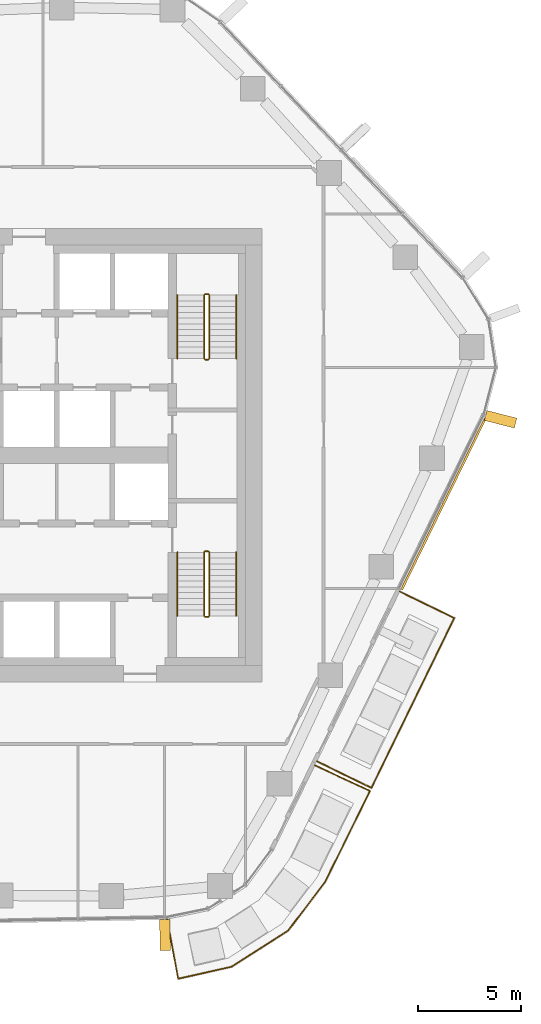
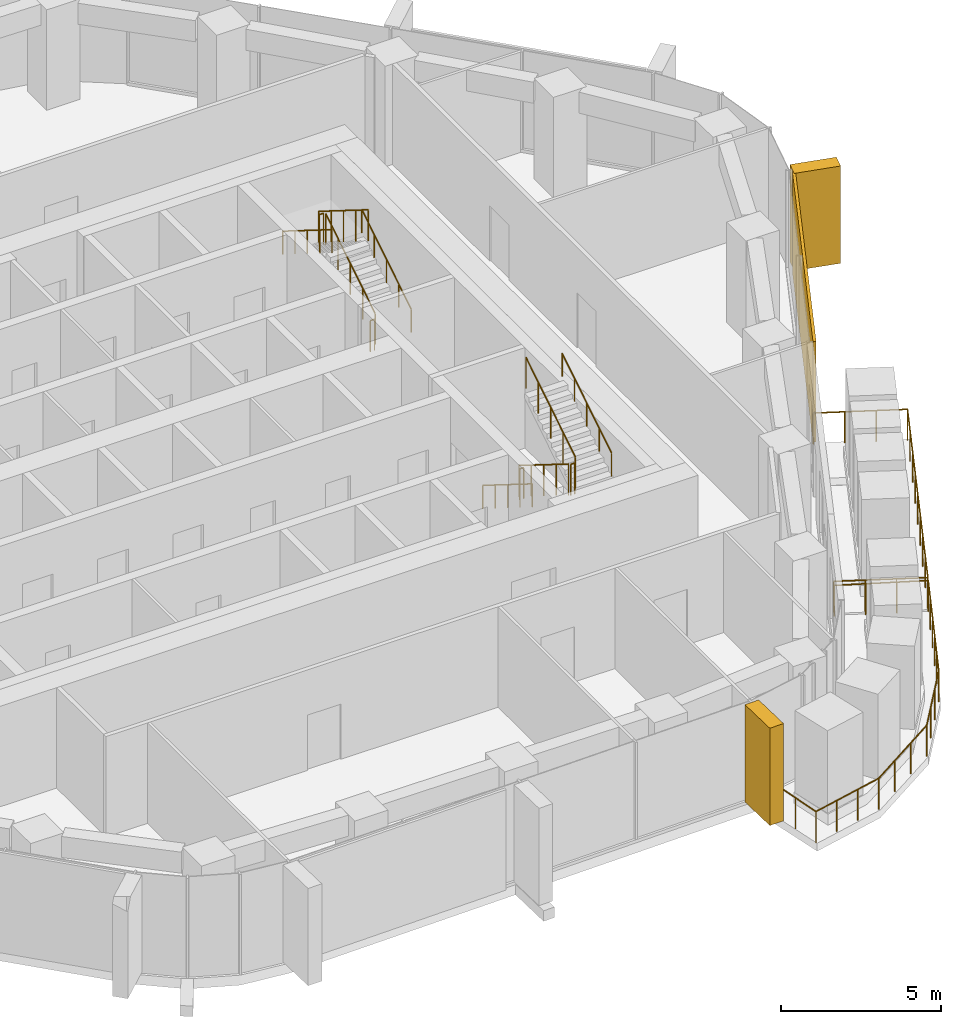
# One storey, part 17 of 18: 14 railings, 3 coverings, 3 elements without a shape of their own.
"""IFC4 building model written with IfcOpenShell, lengths in metres."""

from ifc_helpers import new_model, si_unit, direction, frame, origin, origin_2d, place, context, subcontext, project, spatial, rectangle, circle, extrude, material, layer, layer_set, material_profile, profile_set, type_object, element, aggregate, save


model = new_model("IFC4")

# Units and contexts
model_context = context("Model", 3, precision=1e-05, world=origin(), true_north=direction((0.0, 1.0)))
body_context = subcontext(model_context, "Body", "Model", "MODEL_VIEW")
ifc_project = project(units=[si_unit("LENGTHUNIT", "METRE"), si_unit("AREAUNIT", "SQUARE_METRE"), si_unit("VOLUMEUNIT", "CUBIC_METRE"), si_unit("PLANEANGLEUNIT", "RADIAN"), si_unit("MASSUNIT", "GRAM", prefix="KILO")], contexts=[model_context])

# Site, building, storey
site_placement = place(None, origin())
site = spatial("IfcSite", under=ifc_project, at=site_placement, CompositionType="ELEMENT")
building_placement = place(site_placement, origin())
building = spatial("IfcBuilding", under=site, at=building_placement, Name="Dongbaek Canopy Tower", CompositionType="ELEMENT")
storey_placement = place(building_placement, frame((0.0, 0.0, 162.800048828125)))
storey = spatial("IfcBuildingStorey", under=building, at=storey_placement, Name="L35", CompositionType="ELEMENT", Elevation=162.800048828125)

# Railings
ifc_material_1 = material(Name="Stainless steel", Category="steel")
railing_type_1 = type_object("IfcRailingType", Name="Balcony balustrade 1200", PredefinedType="BALUSTRADE", material=ifc_material_1)
railing_1_placement = place(storey_placement, frame((16.670654296875, -14.836181640625, 0.0)))
element("IfcRailing", 1, at=railing_1_placement, inside=storey, type_object=railing_type_1, Name="Balcony guard L35 2", PredefinedType="BALUSTRADE", context=body_context, shape_type="SweptSolid", body=[
    extrude(circle(Radius=0.02392578125, at=origin_2d()), frame((0.0, 0.0, 1.17578125), z_axis=(0.898671056663, -0.438623223184, 0.0), x_axis=(0.438623223184, 0.898671056663, 0.0)), (0.0, 0.0, 1.0), 2.93994140625),
    extrude(circle(Radius=0.02392578125, at=origin_2d()), frame((2.64208984375, -1.28955078125, 1.17578125), z_axis=(0.438668209755, 0.89864909823, 0.0), x_axis=(-0.89864909823, 0.438668209755, 0.0)), (0.0, 0.0, 1.0), 9.1640625),
    extrude(circle(Radius=0.02392578125, at=origin_2d()), frame((6.662109375, 6.94580078125, 1.17578125), z_axis=(-0.898671056663, 0.438623223184, 0.0), x_axis=(-0.438623223184, -0.898671056663, 0.0)), (0.0, 0.0, 1.0), 2.93994140625),
    extrude(circle(Radius=0.02099609375, at=origin_2d()), origin(), (0.0, 0.0, 1.0), 1.15185546875),
    extrude(circle(Radius=0.02099609375, at=origin_2d()), frame((0.880615234375, -0.429931640625, 0.0)), (0.0, 0.0, 1.0), 1.15185546875),
    extrude(circle(Radius=0.02099609375, at=origin_2d()), frame((1.761474609375, -0.859619140625, 0.0)), (0.0, 0.0, 1.0), 1.15185546875),
    extrude(circle(Radius=0.02099609375, at=origin_2d()), frame((2.64208984375, -1.28955078125, 0.0)), (0.0, 0.0, 1.0), 1.15185546875),
    extrude(circle(Radius=0.02099609375, at=origin_2d()), frame((3.14453125, -0.26025390625, 0.0)), (0.0, 0.0, 1.0), 1.15185546875),
    extrude(circle(Radius=0.02099609375, at=origin_2d()), frame((3.64697265625, 0.769287109375, 0.0)), (0.0, 0.0, 1.0), 1.15185546875),
    extrude(circle(Radius=0.02099609375, at=origin_2d()), frame((4.149658203125, 1.798828125, 0.0)), (0.0, 0.0, 1.0), 1.15185546875),
    extrude(circle(Radius=0.02099609375, at=origin_2d()), frame((4.652099609375, 2.828125, 0.0)), (0.0, 0.0, 1.0), 1.15185546875),
    extrude(circle(Radius=0.02099609375, at=origin_2d()), frame((5.154541015625, 3.857421875, 0.0)), (0.0, 0.0, 1.0), 1.15185546875),
    extrude(circle(Radius=0.02099609375, at=origin_2d()), frame((5.6572265625, 4.886962890625, 0.0)), (0.0, 0.0, 1.0), 1.15185546875),
    extrude(circle(Radius=0.02099609375, at=origin_2d()), frame((6.15966796875, 5.91650390625, 0.0)), (0.0, 0.0, 1.0), 1.15185546875),
    extrude(circle(Radius=0.02099609375, at=origin_2d()), frame((6.662109375, 6.94580078125, 0.0)), (0.0, 0.0, 1.0), 1.15185546875),
    extrude(circle(Radius=0.02099609375, at=origin_2d()), frame((5.781494140625, 7.375732421875, 0.0)), (0.0, 0.0, 1.0), 1.15185546875),
    extrude(circle(Radius=0.02099609375, at=origin_2d()), frame((4.900634765625, 7.805419921875, 0.0)), (0.0, 0.0, 1.0), 1.15185546875),
    extrude(circle(Radius=0.02099609375, at=origin_2d()), frame((4.02001953125, 8.2353515625, 0.0)), (0.0, 0.0, 1.0), 1.15185546875),
])
railing_2_placement = place(storey_placement, frame((9.403076171875, -22.49609375, 0.0)))
element("IfcRailing", 2, at=railing_2_placement, inside=storey, type_object=railing_type_1, Name="Balcony guard L35 4", PredefinedType="BALUSTRADE", context=body_context, shape_type="SweptSolid", body=[
    extrude(circle(Radius=0.02392578125, at=origin_2d()), frame((0.0, 0.0, 1.17578125), z_axis=(0.181821684014, -0.983331518473, 0.0), x_axis=(0.983331518473, 0.181821684014, 0.0)), (0.0, 0.0, 1.0), 2.940673828125),
    extrude(circle(Radius=0.02392578125, at=origin_2d()), frame((0.53466796875, -2.8916015625, 1.17578125), z_axis=(0.97554692989, 0.219791236364, 0.0), x_axis=(-0.219791236364, 0.97554692989, 0.0)), (0.0, 0.0, 1.0), 2.664794921875),
    extrude(circle(Radius=0.02392578125, at=origin_2d()), frame((3.13427734375, -2.305908203125, 1.17578125), z_axis=(0.842635636461, 0.538484154053, 0.0), x_axis=(-0.538484154053, 0.842635636461, 0.0)), (0.0, 0.0, 1.0), 3.24853515625),
    extrude(circle(Radius=0.02392578125, at=origin_2d()), frame((5.87158203125, -0.556640625, 1.17578125), z_axis=(0.604495759218, 0.79660835866, 0.0), x_axis=(-0.79660835866, 0.604495759218, 0.0)), (0.0, 0.0, 1.0), 2.982666015625),
    extrude(circle(Radius=0.02392578125, at=origin_2d()), frame((7.674560546875, 1.8193359375, 1.17578125), z_axis=(0.440917933883, 0.897547422469, 0.0), x_axis=(-0.897547422469, 0.440917933883, 0.0)), (0.0, 0.0, 1.0), 4.910400390625),
    extrude(circle(Radius=0.02392578125, at=origin_2d()), frame((9.839599609375, 6.2265625, 1.17578125), z_axis=(-0.907409457465, 0.420247637117, 0.0), x_axis=(-0.420247637117, -0.907409457465, 0.0)), (0.0, 0.0, 1.0), 2.940673828125),
    extrude(circle(Radius=0.02099609375, at=origin_2d()), origin(), (0.0, 0.0, 1.0), 1.15185546875),
    extrude(circle(Radius=0.02099609375, at=origin_2d()), frame((0.17822265625, -0.9638671875, 0.0)), (0.0, 0.0, 1.0), 1.15185546875),
    extrude(circle(Radius=0.02099609375, at=origin_2d()), frame((0.3564453125, -1.927734375, 0.0)), (0.0, 0.0, 1.0), 1.15185546875),
    extrude(circle(Radius=0.02099609375, at=origin_2d()), frame((0.53466796875, -2.8916015625, 0.0)), (0.0, 0.0, 1.0), 1.15185546875),
    extrude(circle(Radius=0.02099609375, at=origin_2d()), frame((1.401123046875, -2.6962890625, 0.0)), (0.0, 0.0, 1.0), 1.15185546875),
    extrude(circle(Radius=0.02099609375, at=origin_2d()), frame((2.267822265625, -2.501220703125, 0.0)), (0.0, 0.0, 1.0), 1.15185546875),
    extrude(circle(Radius=0.02099609375, at=origin_2d()), frame((3.13427734375, -2.305908203125, 0.0)), (0.0, 0.0, 1.0), 1.15185546875),
    extrude(circle(Radius=0.02099609375, at=origin_2d()), frame((4.046630859375, -1.722900390625, 0.0)), (0.0, 0.0, 1.0), 1.15185546875),
    extrude(circle(Radius=0.02099609375, at=origin_2d()), frame((4.959228515625, -1.1396484375, 0.0)), (0.0, 0.0, 1.0), 1.15185546875),
    extrude(circle(Radius=0.02099609375, at=origin_2d()), frame((5.87158203125, -0.556640625, 0.0)), (0.0, 0.0, 1.0), 1.15185546875),
    extrude(circle(Radius=0.02099609375, at=origin_2d()), frame((6.47265625, 0.2353515625, 0.0)), (0.0, 0.0, 1.0), 1.15185546875),
    extrude(circle(Radius=0.02099609375, at=origin_2d()), frame((7.073486328125, 1.02734375, 0.0)), (0.0, 0.0, 1.0), 1.15185546875),
    extrude(circle(Radius=0.02099609375, at=origin_2d()), frame((7.674560546875, 1.8193359375, 0.0)), (0.0, 0.0, 1.0), 1.15185546875),
    extrude(circle(Radius=0.02099609375, at=origin_2d()), frame((8.107666015625, 2.70068359375, 0.0)), (0.0, 0.0, 1.0), 1.15185546875),
    extrude(circle(Radius=0.02099609375, at=origin_2d()), frame((8.54052734375, 3.582275390625, 0.0)), (0.0, 0.0, 1.0), 1.15185546875),
    extrude(circle(Radius=0.02099609375, at=origin_2d()), frame((8.9736328125, 4.463623046875, 0.0)), (0.0, 0.0, 1.0), 1.15185546875),
    extrude(circle(Radius=0.02099609375, at=origin_2d()), frame((9.406494140625, 5.34521484375, 0.0)), (0.0, 0.0, 1.0), 1.15185546875),
    extrude(circle(Radius=0.02099609375, at=origin_2d()), frame((9.839599609375, 6.2265625, 0.0)), (0.0, 0.0, 1.0), 1.15185546875),
    extrude(circle(Radius=0.02099609375, at=origin_2d()), frame((8.9501953125, 6.638427734375, 0.0)), (0.0, 0.0, 1.0), 1.15185546875),
    extrude(circle(Radius=0.02099609375, at=origin_2d()), frame((8.060546875, 7.050537109375, 0.0)), (0.0, 0.0, 1.0), 1.15185546875),
    extrude(circle(Radius=0.02099609375, at=origin_2d()), frame((7.171142578125, 7.46240234375, 0.0)), (0.0, 0.0, 1.0), 1.15185546875),
])

# Curtain wall, covering
ifc_material_2 = material(Name="Aluminium 6063-T6 pale anodised", Category="aluminium")
ifc_layer_1 = layer(ifc_material_2, 0.199951171875)
ifc_layer_set_1 = layer_set([ifc_layer_1], Name="CW-1 unitised tower curtain wall")
curtain_wall_type = type_object("IfcCurtainWallType", Name="CW-1 unitised tower curtain wall", PredefinedType="NOTDEFINED", material=ifc_layer_set_1)
curtain_wall_1_placement = place(storey_placement, origin())
curtain_wall_1 = element("IfcCurtainWall", 3, at=curtain_wall_1_placement, inside=storey, type_object=curtain_wall_type, Name="CW-1 curtain wall F5.1", PredefinedType="NOTDEFINED")
ifc_material_3 = material(Name="Perforated aluminium 6063-T6 pale metal screen", Category="aluminium")
ifc_layer_2 = layer(ifc_material_3, 0.10009765625)
ifc_layer_set_2 = layer_set([ifc_layer_2], Name="Facet screen FS1 100 pale metal")
covering_type_1 = type_object("IfcCoveringType", Name="Facet screen FS1 100 pale metal", PredefinedType="CLADDING", material=ifc_layer_set_2)
covering_1_placement = place(storey_placement, frame((22.810302734375, -2.36376953125, 0.0), z_axis=(0.0, 0.0, 1.0), x_axis=(0.438664468754, 0.89865092436, 0.0)))
covering_1 = element("IfcCovering", 4, at=covering_1_placement, type_object=covering_type_1, Name="Facet screen L35 F5", PredefinedType="CLADDING", context=body_context, shape_type="SweptSolid", body=[
    extrude(rectangle(XDim=9.254638671875, YDim=0.10009765625, at=origin_2d()), origin(), (0.0, 0.0, 1.0), 3.820068359375),
])
aggregate(curtain_wall_1, [covering_1])

curtain_wall_2_placement = place(storey_placement, origin())
curtain_wall_2 = element("IfcCurtainWall", 5, at=curtain_wall_2_placement, inside=storey, type_object=curtain_wall_type, Name="CW-1 curtain wall K0.1", PredefinedType="NOTDEFINED")
ifc_material_4 = material(Name="Aluminium 6063-T6 pale metal fin", Category="aluminium")
ifc_material_profile = material_profile(ifc_material_4, rectangle(XDim=1.5, YDim=0.5, at=origin_2d()), Name="Fin FN1 500 x 1500 pale metal")
ifc_profile_set = profile_set([ifc_material_profile], Name="Aluminium 6063-T6 pale metal fin")
covering_type_2 = type_object("IfcCoveringType", Name="Fin FN1 500 x 1500 pale metal", PredefinedType="CLADDING", material=ifc_profile_set)
covering_2_placement = place(storey_placement, frame((25.584228515625, 1.75390625, 0.119873046875), z_axis=(0.0, 0.0, 1.0), x_axis=(0.968425118829, -0.249304611313, 0.0)))
covering_2 = element("IfcCovering", 6, at=covering_2_placement, type_object=covering_type_2, Name="Fin K0.1.1", PredefinedType="CLADDING", context=body_context, shape_type="SweptSolid", body=[
    extrude(rectangle(XDim=1.5, YDim=0.5, at=origin_2d()), origin(), (0.0, 0.0, 1.0), 3.7001953125),
])
aggregate(curtain_wall_2, [covering_2])

curtain_wall_3_placement = place(storey_placement, origin())
curtain_wall_3 = element("IfcCurtainWall", 7, at=curtain_wall_3_placement, inside=storey, type_object=curtain_wall_type, Name="CW-1 curtain wall F4.1", PredefinedType="NOTDEFINED")
covering_3_placement = place(storey_placement, frame((9.3017578125, -23.268310546875, 0.119873046875), z_axis=(0.0, 0.0, 1.0), x_axis=(0.020514717954, -0.999789551029, 0.0)))
covering_3 = element("IfcCovering", 8, at=covering_3_placement, type_object=covering_type_2, Name="Fin F4.1.5", PredefinedType="CLADDING", context=body_context, shape_type="SweptSolid", body=[
    extrude(rectangle(XDim=1.5, YDim=0.5, at=origin_2d()), origin(), (0.0, 0.0, 1.0), 3.7001953125),
])
aggregate(curtain_wall_3, [covering_3])

# Railings
ifc_material_5 = material(Name="Stainless steel tube and balusters", Category="steel")
railing_type_2 = type_object("IfcRailingType", Name="Stair guard 1200", PredefinedType="GUARDRAIL", material=ifc_material_5)
railing_3_placement = place(storey_placement, frame((11.449951171875, 4.699951171875, 0.175048828125)))
element("IfcRailing", 9, at=railing_3_placement, inside=storey, type_object=railing_type_2, Name="L35 ST-A stair guard 1", PredefinedType="GUARDRAIL", context=body_context, shape_type="SweptSolid", body=[
    extrude(circle(Radius=0.02392578125, at=origin_2d()), frame((0.0, 0.0, 1.17578125), z_axis=(0.0, 0.848028513186, 0.529950602248), x_axis=(-1.0, 0.0, 0.0)), (0.0, 0.0, 1.0), 3.632080078125),
    extrude(circle(Radius=0.02099609375, at=origin_2d()), origin(), (0.0, 0.0, 1.0), 1.15185546875),
    extrude(circle(Radius=0.02099609375, at=origin_2d()), frame((0.0, 0.77001953125, 0.481201171875)), (0.0, 0.0, 1.0), 1.15185546875),
    extrude(circle(Radius=0.02099609375, at=origin_2d()), frame((0.0, 1.5400390625, 0.96240234375)), (0.0, 0.0, 1.0), 1.15185546875),
    extrude(circle(Radius=0.02099609375, at=origin_2d()), frame((0.0, 2.31005859375, 1.443603515625)), (0.0, 0.0, 1.0), 1.15185546875),
    extrude(circle(Radius=0.02099609375, at=origin_2d()), frame((0.0, 3.080078125, 1.9248046875)), (0.0, 0.0, 1.0), 1.15185546875),
])
railing_4_placement = place(storey_placement, frame((11.39990234375, 7.830078125, 2.099853515625)))
element("IfcRailing", 10, at=railing_4_placement, inside=storey, type_object=railing_type_2, Name="L35 ST-A stair guard 2", PredefinedType="GUARDRAIL", context=body_context, shape_type="SweptSolid", body=[
    extrude(circle(Radius=0.02392578125, at=origin_2d()), frame((0.0, 0.0, 1.17578125), z_axis=(-1.0, 0.0, 0.0), x_axis=(0.0, -1.0, 0.0)), (0.0, 0.0, 1.0), 0.14990234375),
    extrude(circle(Radius=0.02099609375, at=origin_2d()), origin(), (0.0, 0.0, 1.0), 1.15185546875),
    extrude(circle(Radius=0.02099609375, at=origin_2d()), frame((-0.14990234375, 0.0, 0.0)), (0.0, 0.0, 1.0), 1.15185546875),
])
railing_5_placement = place(storey_placement, frame((11.199951171875, 7.780029296875, 2.27490234375)))
element("IfcRailing", 11, at=railing_5_placement, inside=storey, type_object=railing_type_2, Name="L35 ST-A stair guard 3", PredefinedType="GUARDRAIL", context=body_context, shape_type="SweptSolid", body=[
    extrude(circle(Radius=0.02392578125, at=origin_2d()), frame((0.0, 0.0, 1.17578125), z_axis=(0.0, -0.847998304005, 0.529998940003), x_axis=(1.0, 0.0, 0.0)), (0.0, 0.0, 1.0), 3.632080078125),
    extrude(circle(Radius=0.02099609375, at=origin_2d()), origin(), (0.0, 0.0, 1.0), 1.15185546875),
    extrude(circle(Radius=0.02099609375, at=origin_2d()), frame((0.0, -0.77001953125, 0.481201171875)), (0.0, 0.0, 1.0), 1.15185546875),
    extrude(circle(Radius=0.02099609375, at=origin_2d()), frame((0.0, -1.5400390625, 0.96240234375)), (0.0, 0.0, 1.0), 1.15185546875),
    extrude(circle(Radius=0.02099609375, at=origin_2d()), frame((0.0, -2.31005859375, 1.44384765625)), (0.0, 0.0, 1.0), 1.15185546875),
    extrude(circle(Radius=0.02099609375, at=origin_2d()), frame((0.0, -3.080078125, 1.925048828125)), (0.0, 0.0, 1.0), 1.15185546875),
])
railing_6_placement = place(storey_placement, frame((11.39990234375, 4.64990234375, 0.0)))
element("IfcRailing", 12, at=railing_6_placement, inside=storey, type_object=railing_type_2, Name="L35 ST-A stair guard 4", PredefinedType="GUARDRAIL", context=body_context, shape_type="SweptSolid", body=[
    extrude(circle(Radius=0.02392578125, at=origin_2d()), frame((0.0, 0.0, 1.17578125), z_axis=(-1.0, 0.0, 0.0), x_axis=(0.0, -1.0, 0.0)), (0.0, 0.0, 1.0), 0.14990234375),
    extrude(circle(Radius=0.02099609375, at=origin_2d()), origin(), (0.0, 0.0, 1.0), 1.15185546875),
    extrude(circle(Radius=0.02099609375, at=origin_2d()), frame((-0.14990234375, 0.0, 0.0)), (0.0, 0.0, 1.0), 1.15185546875),
])
railing_7_placement = place(storey_placement, frame((11.199951171875, -4.699951171875, 0.175048828125)))
element("IfcRailing", 13, at=railing_7_placement, inside=storey, type_object=railing_type_2, Name="L35 ST-B stair guard 1", PredefinedType="GUARDRAIL", context=body_context, shape_type="SweptSolid", body=[
    extrude(circle(Radius=0.02392578125, at=origin_2d()), frame((0.0, 0.0, 1.17578125), z_axis=(0.0, -0.848028513186, 0.529950602248), x_axis=(1.0, 0.0, 0.0)), (0.0, 0.0, 1.0), 3.632080078125),
    extrude(circle(Radius=0.02099609375, at=origin_2d()), origin(), (0.0, 0.0, 1.0), 1.15185546875),
    extrude(circle(Radius=0.02099609375, at=origin_2d()), frame((0.0, -0.77001953125, 0.481201171875)), (0.0, 0.0, 1.0), 1.15185546875),
    extrude(circle(Radius=0.02099609375, at=origin_2d()), frame((0.0, -1.5400390625, 0.96240234375)), (0.0, 0.0, 1.0), 1.15185546875),
    extrude(circle(Radius=0.02099609375, at=origin_2d()), frame((0.0, -2.31005859375, 1.443603515625)), (0.0, 0.0, 1.0), 1.15185546875),
    extrude(circle(Radius=0.02099609375, at=origin_2d()), frame((0.0, -3.080078125, 1.9248046875)), (0.0, 0.0, 1.0), 1.15185546875),
])
railing_8_placement = place(storey_placement, frame((11.25, -7.830078125, 2.099853515625)))
element("IfcRailing", 14, at=railing_8_placement, inside=storey, type_object=railing_type_2, Name="L35 ST-B stair guard 2", PredefinedType="GUARDRAIL", context=body_context, shape_type="SweptSolid", body=[
    extrude(circle(Radius=0.02392578125, at=origin_2d()), frame((0.0, 0.0, 1.17578125), z_axis=(1.0, 0.0, 0.0), x_axis=(0.0, 1.0, 0.0)), (0.0, 0.0, 1.0), 0.14990234375),
    extrude(circle(Radius=0.02099609375, at=origin_2d()), origin(), (0.0, 0.0, 1.0), 1.15185546875),
    extrude(circle(Radius=0.02099609375, at=origin_2d()), frame((0.14990234375, 0.0, 0.0)), (0.0, 0.0, 1.0), 1.15185546875),
])
railing_9_placement = place(storey_placement, frame((11.449951171875, -7.780029296875, 2.27490234375)))
element("IfcRailing", 15, at=railing_9_placement, inside=storey, type_object=railing_type_2, Name="L35 ST-B stair guard 3", PredefinedType="GUARDRAIL", context=body_context, shape_type="SweptSolid", body=[
    extrude(circle(Radius=0.02392578125, at=origin_2d()), frame((0.0, 0.0, 1.17578125), z_axis=(0.0, 0.847998304005, 0.529998940003), x_axis=(-1.0, 0.0, 0.0)), (0.0, 0.0, 1.0), 3.632080078125),
    extrude(circle(Radius=0.02099609375, at=origin_2d()), origin(), (0.0, 0.0, 1.0), 1.15185546875),
    extrude(circle(Radius=0.02099609375, at=origin_2d()), frame((0.0, 0.77001953125, 0.481201171875)), (0.0, 0.0, 1.0), 1.15185546875),
    extrude(circle(Radius=0.02099609375, at=origin_2d()), frame((0.0, 1.5400390625, 0.96240234375)), (0.0, 0.0, 1.0), 1.15185546875),
    extrude(circle(Radius=0.02099609375, at=origin_2d()), frame((0.0, 2.31005859375, 1.44384765625)), (0.0, 0.0, 1.0), 1.15185546875),
    extrude(circle(Radius=0.02099609375, at=origin_2d()), frame((0.0, 3.080078125, 1.925048828125)), (0.0, 0.0, 1.0), 1.15185546875),
])
railing_10_placement = place(storey_placement, frame((11.25, -4.64990234375, 0.0)))
element("IfcRailing", 16, at=railing_10_placement, inside=storey, type_object=railing_type_2, Name="L35 ST-B stair guard 4", PredefinedType="GUARDRAIL", context=body_context, shape_type="SweptSolid", body=[
    extrude(circle(Radius=0.02392578125, at=origin_2d()), frame((0.0, 0.0, 1.17578125), z_axis=(1.0, 0.0, 0.0), x_axis=(0.0, 1.0, 0.0)), (0.0, 0.0, 1.0), 0.14990234375),
    extrude(circle(Radius=0.02099609375, at=origin_2d()), origin(), (0.0, 0.0, 1.0), 1.15185546875),
    extrude(circle(Radius=0.02099609375, at=origin_2d()), frame((0.14990234375, 0.0, 0.0)), (0.0, 0.0, 1.0), 1.15185546875),
])
ifc_material_6 = material(Name="Stainless steel tube", Category="steel")
railing_type_3 = type_object("IfcRailingType", Name="Stair handrail 900", PredefinedType="HANDRAIL", material=ifc_material_6)
railing_11_placement = place(storey_placement, frame((12.75, 4.699951171875, 0.175048828125)))
element("IfcRailing", 17, at=railing_11_placement, inside=storey, type_object=railing_type_3, Name="L35 ST-A stair handrail 1", PredefinedType="HANDRAIL", context=body_context, shape_type="SweptSolid", body=[
    extrude(circle(Radius=0.02392578125, at=origin_2d()), frame((0.0, 0.0, 0.8759765625), z_axis=(0.0, 0.848028513186, 0.529950602248), x_axis=(-1.0, 0.0, 0.0)), (0.0, 0.0, 1.0), 3.632080078125),
    extrude(circle(Radius=0.02099609375, at=origin_2d()), origin(), (0.0, 0.0, 1.0), 0.851806640625),
    extrude(circle(Radius=0.02099609375, at=origin_2d()), frame((0.0, 0.77001953125, 0.481201171875)), (0.0, 0.0, 1.0), 0.851806640625),
    extrude(circle(Radius=0.02099609375, at=origin_2d()), frame((0.0, 1.5400390625, 0.96240234375)), (0.0, 0.0, 1.0), 0.851806640625),
    extrude(circle(Radius=0.02099609375, at=origin_2d()), frame((0.0, 2.31005859375, 1.443603515625)), (0.0, 0.0, 1.0), 0.851806640625),
    extrude(circle(Radius=0.02099609375, at=origin_2d()), frame((0.0, 3.080078125, 1.9248046875)), (0.0, 0.0, 1.0), 0.851806640625),
])
railing_12_placement = place(storey_placement, frame((9.89990234375, 7.780029296875, 2.27490234375)))
element("IfcRailing", 18, at=railing_12_placement, inside=storey, type_object=railing_type_3, Name="L35 ST-A stair handrail 2", PredefinedType="HANDRAIL", context=body_context, shape_type="SweptSolid", body=[
    extrude(circle(Radius=0.02392578125, at=origin_2d()), frame((0.0, 0.0, 0.8759765625), z_axis=(0.0, -0.847998304005, 0.529998940003), x_axis=(1.0, 0.0, 0.0)), (0.0, 0.0, 1.0), 3.632080078125),
    extrude(circle(Radius=0.02099609375, at=origin_2d()), origin(), (0.0, 0.0, 1.0), 0.851806640625),
    extrude(circle(Radius=0.02099609375, at=origin_2d()), frame((0.0, -0.77001953125, 0.481201171875)), (0.0, 0.0, 1.0), 0.851806640625),
    extrude(circle(Radius=0.02099609375, at=origin_2d()), frame((0.0, -1.5400390625, 0.96240234375)), (0.0, 0.0, 1.0), 0.851806640625),
    extrude(circle(Radius=0.02099609375, at=origin_2d()), frame((0.0, -2.31005859375, 1.44384765625)), (0.0, 0.0, 1.0), 0.851806640625),
    extrude(circle(Radius=0.02099609375, at=origin_2d()), frame((0.0, -3.080078125, 1.925048828125)), (0.0, 0.0, 1.0), 0.851806640625),
])
railing_13_placement = place(storey_placement, frame((9.89990234375, -4.699951171875, 0.175048828125)))
element("IfcRailing", 19, at=railing_13_placement, inside=storey, type_object=railing_type_3, Name="L35 ST-B stair handrail 1", PredefinedType="HANDRAIL", context=body_context, shape_type="SweptSolid", body=[
    extrude(circle(Radius=0.02392578125, at=origin_2d()), frame((0.0, 0.0, 0.8759765625), z_axis=(0.0, -0.848028513186, 0.529950602248), x_axis=(1.0, 0.0, 0.0)), (0.0, 0.0, 1.0), 3.632080078125),
    extrude(circle(Radius=0.02099609375, at=origin_2d()), origin(), (0.0, 0.0, 1.0), 0.851806640625),
    extrude(circle(Radius=0.02099609375, at=origin_2d()), frame((0.0, -0.77001953125, 0.481201171875)), (0.0, 0.0, 1.0), 0.851806640625),
    extrude(circle(Radius=0.02099609375, at=origin_2d()), frame((0.0, -1.5400390625, 0.96240234375)), (0.0, 0.0, 1.0), 0.851806640625),
    extrude(circle(Radius=0.02099609375, at=origin_2d()), frame((0.0, -2.31005859375, 1.443603515625)), (0.0, 0.0, 1.0), 0.851806640625),
    extrude(circle(Radius=0.02099609375, at=origin_2d()), frame((0.0, -3.080078125, 1.9248046875)), (0.0, 0.0, 1.0), 0.851806640625),
])
railing_14_placement = place(storey_placement, frame((12.75, -7.780029296875, 2.27490234375)))
element("IfcRailing", 20, at=railing_14_placement, inside=storey, type_object=railing_type_3, Name="L35 ST-B stair handrail 2", PredefinedType="HANDRAIL", context=body_context, shape_type="SweptSolid", body=[
    extrude(circle(Radius=0.02392578125, at=origin_2d()), frame((0.0, 0.0, 0.8759765625), z_axis=(0.0, 0.847998304005, 0.529998940003), x_axis=(-1.0, 0.0, 0.0)), (0.0, 0.0, 1.0), 3.632080078125),
    extrude(circle(Radius=0.02099609375, at=origin_2d()), origin(), (0.0, 0.0, 1.0), 0.851806640625),
    extrude(circle(Radius=0.02099609375, at=origin_2d()), frame((0.0, 0.77001953125, 0.481201171875)), (0.0, 0.0, 1.0), 0.851806640625),
    extrude(circle(Radius=0.02099609375, at=origin_2d()), frame((0.0, 1.5400390625, 0.96240234375)), (0.0, 0.0, 1.0), 0.851806640625),
    extrude(circle(Radius=0.02099609375, at=origin_2d()), frame((0.0, 2.31005859375, 1.44384765625)), (0.0, 0.0, 1.0), 0.851806640625),
    extrude(circle(Radius=0.02099609375, at=origin_2d()), frame((0.0, 3.080078125, 1.925048828125)), (0.0, 0.0, 1.0), 0.851806640625),
])

save(model, "model.ifc")
